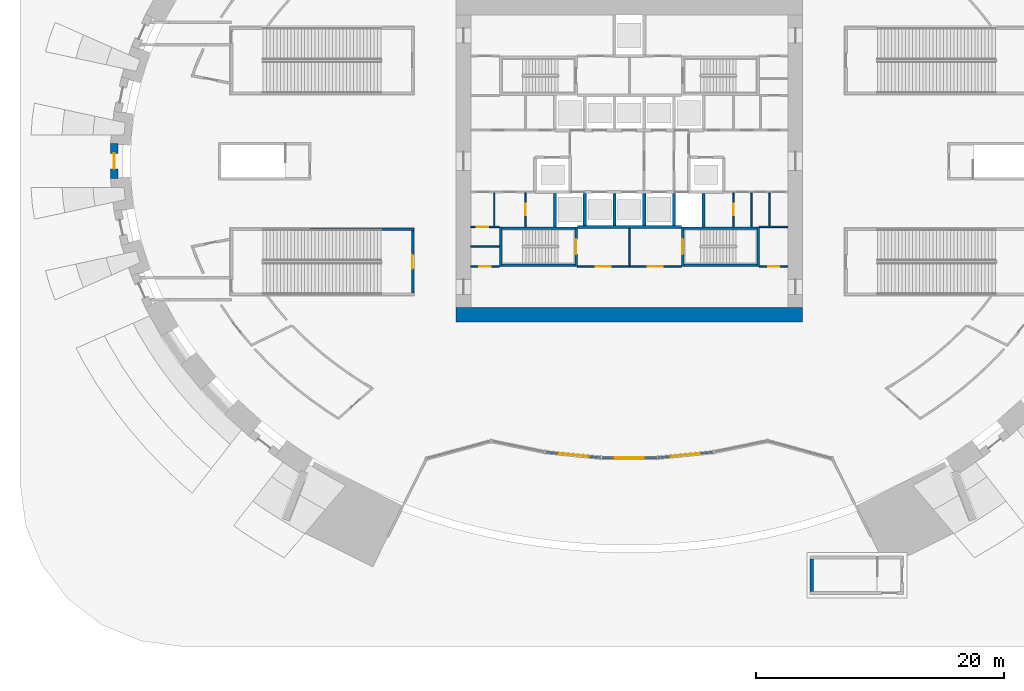
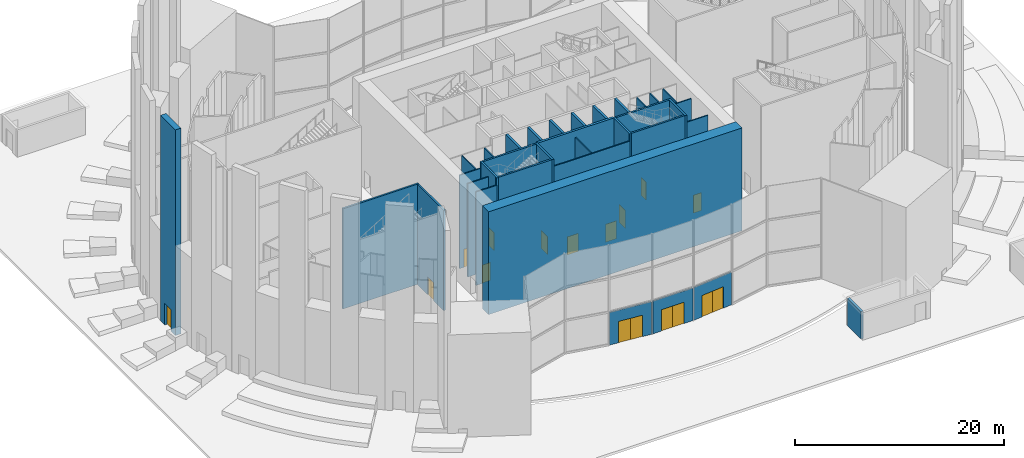
# One storey, part 8 of 25: 35 walls, 17 doors, 17 openings.
"""IFC4 building model written with IfcOpenShell, lengths in metres."""

from ifc_helpers import new_model, si_unit, direction, frame, frame_2d, origin, place, context, subcontext, project, spatial, rectangle, extrude, source, transform, mapped, material, layer, layer_set, type_object, element, fill, save


model = new_model("IFC4")

# Units and contexts
model_context = context("Model", 3, precision=1e-05, world=origin(), true_north=direction((0.0, 1.0)))
body_context = subcontext(model_context, "Body", "Model", "MODEL_VIEW")
ifc_project = project(units=[si_unit("LENGTHUNIT", "METRE"), si_unit("AREAUNIT", "SQUARE_METRE"), si_unit("VOLUMEUNIT", "CUBIC_METRE"), si_unit("PLANEANGLEUNIT", "RADIAN"), si_unit("MASSUNIT", "GRAM", prefix="KILO")], contexts=[model_context])

# Site, building, storey
site_placement = place(None, origin())
site = spatial("IfcSite", under=ifc_project, at=site_placement, CompositionType="ELEMENT")
building_placement = place(site_placement, origin())
building = spatial("IfcBuilding", under=site, at=building_placement, Name="Embergate Tower", CompositionType="ELEMENT")
storey_placement = place(building_placement, origin())
storey = spatial("IfcBuildingStorey", under=building, at=storey_placement, Name="L00", CompositionType="ELEMENT", Elevation=0.0)

# Wall
ifc_material_1 = material(Name="Concrete C80", Category="concrete")
ifc_layer_1 = layer(ifc_material_1, 1.199951171875)
ifc_layer_set_1 = layer_set([ifc_layer_1], Name="Concrete C80")
wall_type_1 = type_object("IfcWallType", Name="Core outer wall C80 1200", PredefinedType="SHEAR", material=ifc_layer_set_1)
shared_shape_1 = source(origin(), body_context, "Body", "SweptSolid", [
    extrude(rectangle(XDim=28.0, YDim=1.199951171875, at=frame_2d((14.0, 0.0))), origin(), (0.0, 0.0, 1.0), 12.0),
])
wall_1_placement = place(storey_placement, frame((-14.0, -12.39990234375, -0.300048828125), z_axis=(0.0, 0.0, 1.0), x_axis=(1.0, 0.0, 0.0)))
element("IfcWall", 1, at=wall_1_placement, inside=storey, type_object=wall_type_1, Name="CW-L00-S", PredefinedType="SHEAR", context=body_context, shape_type="MappedRepresentation", body=[
    mapped(shared_shape_1, transform((0.0, 0.0, 0.0))),
])

# Wall, opening, door
ifc_material_2 = material(Name="Brick masonry, solid, with terracotta coping", Category="masonry")
ifc_layer_2 = layer(ifc_material_2, 0.60009765625)
ifc_layer_set_2 = layer_set([ifc_layer_2], Name="Brick masonry, solid, with terracotta coping")
wall_type_2 = type_object("IfcWallType", Name="Masonry base wall", PredefinedType="SOLIDWALL", material=ifc_layer_set_2)
shared_shape_2 = source(origin(), body_context, "Body", "SweptSolid", [
    extrude(rectangle(XDim=2.8349609375, YDim=0.60009765625, at=frame_2d((1.41748046875, 0.0))), origin(), (0.0, 0.0, 1.0), 24.0),
])
wall_2_placement = place(storey_placement, frame((-41.594482421875, -1.41748046875, 0.0), z_axis=(0.0, 0.0, 1.0), x_axis=(0.0, 1.0, 0.0)))
wall_2 = element("IfcWall", 2, at=wall_2_placement, inside=storey, type_object=wall_type_2, Name="Masonry base wall 22", PredefinedType="SOLIDWALL", context=body_context, shape_type="MappedRepresentation", body=[
    mapped(shared_shape_2, transform((0.0, 0.0, 0.0))),
])
shared_shape_3 = source(origin(), body_context, "Body", "SweptSolid", [
    extrude(rectangle(XDim=1.25, YDim=2.5, at=frame_2d((0.625, 1.25))), frame((0.0, 0.31005859375, 0.0), z_axis=(0.0, -1.0, 0.0), x_axis=(1.0, 0.0, 0.0)), (0.0, 0.0, 1.0), 0.6201171875),
])
opening_1_placement = place(wall_2_placement, frame((0.79248046875, 0.0, 0.0)))
opening_1 = element("IfcOpeningElement", 3, at=opening_1_placement, cuts=wall_2, Name="Opening ED", PredefinedType="OPENING", context=body_context, shape_type="MappedRepresentation", body=[
    mapped(shared_shape_3, transform((0.0, 0.0, 0.0))),
])
ifc_material_3 = material(Name="Aluminium and toughened glass", Category="aluminium")
door_type_1 = type_object("IfcDoorType", Name="Entrance door leaf", OperationType="SINGLE_SWING_LEFT", PredefinedType="DOOR", material=ifc_material_3)
shared_shape_4 = source(origin(), body_context, "Body", "SweptSolid", [
    extrude(rectangle(XDim=1.25, YDim=2.5, at=frame_2d((0.625, 1.25))), frame((0.0, 0.02490234375, 0.0), z_axis=(0.0, -1.0, 0.0), x_axis=(1.0, 0.0, 0.0)), (0.0, 0.0, 1.0), 0.050048828125),
])
door_1_placement = place(opening_1_placement, origin())
door_1 = element("IfcDoor", 4, at=door_1_placement, inside=storey, type_object=door_type_1, Name="Entrance door 22.1", OperationType="SINGLE_SWING_LEFT", OverallHeight=2.5, OverallWidth=1.25, PredefinedType="DOOR", context=body_context, shape_type="MappedRepresentation", body=[
    mapped(shared_shape_4, transform((0.0, 0.0, 0.0))),
])
fill(opening_1, door_1)

# Wall, openings, doors
ifc_layer_3 = layer(ifc_material_3, 0.139892578125)
ifc_layer_set_3 = layer_set([ifc_layer_3], Name="Aluminium and toughened glass")
wall_type_3 = type_object("IfcWallType", Name="Glazed entrance screen", PredefinedType="SOLIDWALL", material=ifc_layer_set_3)
shared_shape_5 = source(origin(), body_context, "Body", "SweptSolid", [
    extrude(rectangle(XDim=4.390869140625, YDim=0.139892578125, at=frame_2d((2.1953125, 0.0))), origin(), (0.0, 0.0, 1.0), 3.81005859375),
])
wall_3_placement = place(storey_placement, frame((-2.3466796875, -23.935791015625, 0.0), z_axis=(0.0, 0.0, 1.0), x_axis=(-0.994939828097, 0.100472575689, 0.0)))
wall_3 = element("IfcWall", 5, at=wall_3_placement, inside=storey, type_object=wall_type_3, Name="Entrance screen 153", PredefinedType="SOLIDWALL", context=body_context, shape_type="MappedRepresentation", body=[
    mapped(shared_shape_5, transform((0.0, 0.0, 0.0))),
])
shared_shape_6 = source(origin(), body_context, "Body", "SweptSolid", [
    extrude(rectangle(XDim=1.25, YDim=2.5, at=frame_2d((0.625, 1.25))), frame((0.0, 0.079833984375, 0.0), z_axis=(0.0, -1.0, 0.0), x_axis=(1.0, 0.0, 0.0)), (0.0, 0.0, 1.0), 0.159912109375),
])
opening_2_placement = place(wall_3_placement, frame((0.9453125, 0.0, 0.0)))
opening_2 = element("IfcOpeningElement", 6, at=opening_2_placement, cuts=wall_3, Name="Opening ED", PredefinedType="OPENING", context=body_context, shape_type="MappedRepresentation", body=[
    mapped(shared_shape_6, transform((0.0, 0.0, 0.0))),
])
opening_3_placement = place(wall_3_placement, frame((2.1953125, 0.0, 0.0)))
opening_3 = element("IfcOpeningElement", 7, at=opening_3_placement, cuts=wall_3, Name="Opening ED", PredefinedType="OPENING", context=body_context, shape_type="MappedRepresentation", body=[
    mapped(shared_shape_6, transform((0.0, 0.0, 0.0))),
])
door_2_placement = place(opening_2_placement, origin())
door_2 = element("IfcDoor", 8, at=door_2_placement, inside=storey, type_object=door_type_1, Name="Entrance door 153.1", OperationType="SINGLE_SWING_LEFT", OverallHeight=2.5, OverallWidth=1.25, PredefinedType="DOOR", context=body_context, shape_type="MappedRepresentation", body=[
    mapped(shared_shape_4, transform((0.0, 0.0, 0.0))),
])
fill(opening_2, door_2)
door_3_placement = place(opening_3_placement, origin())
door_3 = element("IfcDoor", 9, at=door_3_placement, inside=storey, type_object=door_type_1, Name="Entrance door 153.2", OperationType="SINGLE_SWING_LEFT", OverallHeight=2.5, OverallWidth=1.25, PredefinedType="DOOR", context=body_context, shape_type="MappedRepresentation", body=[
    mapped(shared_shape_4, transform((0.0, 0.0, 0.0))),
])
fill(opening_3, door_3)

wall_4_placement = place(storey_placement, frame((6.71533203125, -23.49462890625, 0.0), z_axis=(0.0, 0.0, 1.0), x_axis=(-0.994939828097, -0.100472575689, 0.0)))
wall_4 = element("IfcWall", 10, at=wall_4_placement, inside=storey, type_object=wall_type_3, Name="Entrance screen 155", PredefinedType="SOLIDWALL", context=body_context, shape_type="MappedRepresentation", body=[
    mapped(shared_shape_5, transform((0.0, 0.0, 0.0))),
])
opening_4_placement = place(wall_4_placement, frame((0.9453125, 0.0, 0.0)))
opening_4 = element("IfcOpeningElement", 11, at=opening_4_placement, cuts=wall_4, Name="Opening ED", PredefinedType="OPENING", context=body_context, shape_type="MappedRepresentation", body=[
    mapped(shared_shape_6, transform((0.0, 0.0, 0.0))),
])
opening_5_placement = place(wall_4_placement, frame((2.1953125, 0.0, 0.0)))
opening_5 = element("IfcOpeningElement", 12, at=opening_5_placement, cuts=wall_4, Name="Opening ED", PredefinedType="OPENING", context=body_context, shape_type="MappedRepresentation", body=[
    mapped(shared_shape_6, transform((0.0, 0.0, 0.0))),
])
door_4_placement = place(opening_4_placement, origin())
door_4 = element("IfcDoor", 13, at=door_4_placement, inside=storey, type_object=door_type_1, Name="Entrance door 155.1", OperationType="SINGLE_SWING_LEFT", OverallHeight=2.5, OverallWidth=1.25, PredefinedType="DOOR", context=body_context, shape_type="MappedRepresentation", body=[
    mapped(shared_shape_4, transform((0.0, 0.0, 0.0))),
])
fill(opening_4, door_4)
door_5_placement = place(opening_5_placement, origin())
door_5 = element("IfcDoor", 14, at=door_5_placement, inside=storey, type_object=door_type_1, Name="Entrance door 155.2", OperationType="SINGLE_SWING_LEFT", OverallHeight=2.5, OverallWidth=1.25, PredefinedType="DOOR", context=body_context, shape_type="MappedRepresentation", body=[
    mapped(shared_shape_4, transform((0.0, 0.0, 0.0))),
])
fill(opening_5, door_5)

shared_shape_7 = source(origin(), body_context, "Body", "SweptSolid", [
    extrude(rectangle(XDim=4.4140625, YDim=0.139892578125, at=frame_2d((2.20703125, 0.0))), origin(), (0.0, 0.0, 1.0), 3.81005859375),
])
wall_5_placement = place(storey_placement, frame((2.20703125, -23.94287109375, 0.0), z_axis=(0.0, 0.0, 1.0), x_axis=(-1.0, 0.0, 0.0)))
wall_5 = element("IfcWall", 15, at=wall_5_placement, inside=storey, type_object=wall_type_3, Name="Entrance screen 154", PredefinedType="SOLIDWALL", context=body_context, shape_type="MappedRepresentation", body=[
    mapped(shared_shape_7, transform((0.0, 0.0, 0.0))),
])
opening_6_placement = place(wall_5_placement, frame((0.95703125, 0.0, 0.0)))
opening_6 = element("IfcOpeningElement", 16, at=opening_6_placement, cuts=wall_5, Name="Opening ED", PredefinedType="OPENING", context=body_context, shape_type="MappedRepresentation", body=[
    mapped(shared_shape_6, transform((0.0, 0.0, 0.0))),
])
opening_7_placement = place(wall_5_placement, frame((2.20703125, 0.0, 0.0)))
opening_7 = element("IfcOpeningElement", 17, at=opening_7_placement, cuts=wall_5, Name="Opening ED", PredefinedType="OPENING", context=body_context, shape_type="MappedRepresentation", body=[
    mapped(shared_shape_6, transform((0.0, 0.0, 0.0))),
])
door_6_placement = place(opening_6_placement, origin())
door_6 = element("IfcDoor", 18, at=door_6_placement, inside=storey, type_object=door_type_1, Name="Entrance door 154.1", OperationType="SINGLE_SWING_LEFT", OverallHeight=2.5, OverallWidth=1.25, PredefinedType="DOOR", context=body_context, shape_type="MappedRepresentation", body=[
    mapped(shared_shape_4, transform((0.0, 0.0, 0.0))),
])
fill(opening_6, door_6)
door_7_placement = place(opening_7_placement, origin())
door_7 = element("IfcDoor", 19, at=door_7_placement, inside=storey, type_object=door_type_1, Name="Entrance door 154.2", OperationType="SINGLE_SWING_LEFT", OverallHeight=2.5, OverallWidth=1.25, PredefinedType="DOOR", context=body_context, shape_type="MappedRepresentation", body=[
    mapped(shared_shape_4, transform((0.0, 0.0, 0.0))),
])
fill(opening_7, door_7)

# Walls
ifc_material_4 = material(Name="Concrete C50", Category="concrete")
ifc_layer_4 = layer(ifc_material_4, 0.25)
ifc_layer_set_4 = layer_set([ifc_layer_4], Name="Concrete C50")
wall_type_4 = type_object("IfcWallType", Name="Hoistway wall reinforced concrete 250", PredefinedType="SHEAR", material=ifc_layer_set_4)
shared_shape_8 = source(origin(), body_context, "Body", "SweptSolid", [
    extrude(rectangle(XDim=2.675048828125, YDim=0.25, at=frame_2d((1.33740234375, 0.0))), origin(), (0.0, 0.0, 1.0), 11.699951171875),
])
for number, where, z_axis, x_axis, name in (
    (20, (-6.0, -5.300048828125, 0.0), (0.0, 0.0, 1.0), (0.0, 1.0, 0.0), "HW-1 wall"),
    (21, (6.0, -5.300048828125, 0.0), (0.0, 0.0, 1.0), (0.0, 1.0, 0.0), "HW-1 wall"),
):
    element("IfcWall", number, at=place(storey_placement, frame(where, z_axis=z_axis, x_axis=x_axis)), inside=storey, type_object=wall_type_4, Name=name, PredefinedType="SHEAR", context=body_context, shape_type="MappedRepresentation", body=[
        mapped(shared_shape_8, transform((0.0, 0.0, 0.0))),
    ])
ifc_layer_5 = layer(ifc_material_4, 0.199951171875)
ifc_layer_set_5 = layer_set([ifc_layer_5], Name="Concrete C50")
wall_type_5 = type_object("IfcWallType", Name="Stair enclosure wall reinforced concrete 250", PredefinedType="SHEAR", material=ifc_layer_set_5)
shared_shape_9 = source(origin(), body_context, "Body", "SweptSolid", [
    extrude(rectangle(XDim=6.300048828125, YDim=0.199951171875, at=frame_2d((3.14990234375, 0.0))), origin(), (0.0, 0.0, 1.0), 11.699951171875),
])
for number, where, z_axis, x_axis, name in (
    (22, (-10.5, -5.39990234375, 0.0), (0.0, 0.0, 1.0), (1.0, 0.0, 0.0), "SE-1 wall"),
    (23, (4.199951171875, -5.39990234375, 0.0), (0.0, 0.0, 1.0), (1.0, 0.0, 0.0), "SE-1 wall"),
    (24, (-10.5, -8.39990234375, 0.0), (0.0, 0.0, 1.0), (1.0, 0.0, 0.0), "SE-1 wall"),
    (25, (4.199951171875, -8.39990234375, 0.0), (0.0, 0.0, 1.0), (1.0, 0.0, 0.0), "SE-1 wall"),
):
    element("IfcWall", number, at=place(storey_placement, frame(where, z_axis=z_axis, x_axis=x_axis)), inside=storey, type_object=wall_type_5, Name=name, PredefinedType="SHEAR", context=body_context, shape_type="MappedRepresentation", body=[
        mapped(shared_shape_9, transform((0.0, 0.0, 0.0))),
    ])

# Wall, opening, door
ifc_material_5 = material(Name="Core partition blockwork 120")
ifc_layer_6 = layer(ifc_material_5, 0.1201171875)
ifc_layer_set_6 = layer_set([ifc_layer_6], Name="Core partition blockwork 120")
wall_type_6 = type_object("IfcWallType", Name="Core partition blockwork 120", PredefinedType="PARTITIONING", material=ifc_layer_set_6)
shared_shape_10 = source(origin(), body_context, "Body", "SweptSolid", [
    extrude(rectangle(XDim=2.739990234375, YDim=0.1201171875, at=frame_2d((1.3701171875, 0.0))), origin(), (0.0, 0.0, 1.0), 10.89990234375),
])
wall_6_placement = place(storey_placement, frame((-8.39990234375, -2.56005859375, 0.0), z_axis=(0.0, 0.0, 1.0), x_axis=(0.0, -1.0, 0.0)))
wall_6 = element("IfcWall", 26, at=wall_6_placement, inside=storey, type_object=wall_type_6, Name="IP-3 wall", PredefinedType="PARTITIONING", context=body_context, shape_type="MappedRepresentation", body=[
    mapped(shared_shape_10, transform((0.0, 0.0, 0.0))),
])
shared_shape_11 = source(origin(), body_context, "Body", "SweptSolid", [
    extrude(rectangle(XDim=0.89990234375, YDim=2.10009765625, at=frame_2d((0.449951171875, 1.050048828125))), frame((0.0, 0.070068359375, 0.0), z_axis=(0.0, -1.0, 0.0), x_axis=(1.0, 0.0, 0.0)), (0.0, 0.0, 1.0), 0.14013671875),
])
opening_8_placement = place(wall_6_placement, frame((0.889892578125, 0.0, 0.0)))
opening_8 = element("IfcOpeningElement", 27, at=opening_8_placement, cuts=wall_6, Name="Opening ID-1", PredefinedType="OPENING", context=body_context, shape_type="MappedRepresentation", body=[
    mapped(shared_shape_11, transform((0.0, 0.0, 0.0))),
])
ifc_material_6 = material(Name="Interior door 900")
door_type_2 = type_object("IfcDoorType", Name="Interior door 900", OperationType="SINGLE_SWING_LEFT", PredefinedType="DOOR", material=ifc_material_6)
shared_shape_12 = source(origin(), body_context, "Body", "SweptSolid", [
    extrude(rectangle(XDim=0.89990234375, YDim=2.10009765625, at=frame_2d((0.449951171875, 1.050048828125))), frame((0.0, 0.02490234375, 0.0), z_axis=(0.0, -1.0, 0.0), x_axis=(1.0, 0.0, 0.0)), (0.0, 0.0, 1.0), 0.050048828125),
])
door_8_placement = place(opening_8_placement, origin())
door_8 = element("IfcDoor", 28, at=door_8_placement, inside=storey, type_object=door_type_2, Name="ID-1 door", OperationType="SINGLE_SWING_LEFT", OverallHeight=2.10009765625, OverallWidth=0.89990234375, PredefinedType="DOOR", context=body_context, shape_type="MappedRepresentation", body=[
    mapped(shared_shape_12, transform((0.0, 0.0, 0.0))),
])
fill(opening_8, door_8)

wall_7_placement = place(storey_placement, frame((8.39990234375, -5.300048828125, 0.0), z_axis=(0.0, 0.0, 1.0), x_axis=(0.0, 1.0, 0.0)))
wall_7 = element("IfcWall", 29, at=wall_7_placement, inside=storey, type_object=wall_type_6, Name="IP-3 wall", PredefinedType="PARTITIONING", context=body_context, shape_type="MappedRepresentation", body=[
    mapped(shared_shape_10, transform((0.0, 0.0, 0.0))),
])
opening_9_placement = place(wall_7_placement, frame((0.949951171875, 0.0, 0.0)))
opening_9 = element("IfcOpeningElement", 30, at=opening_9_placement, cuts=wall_7, Name="Opening ID-1", PredefinedType="OPENING", context=body_context, shape_type="MappedRepresentation", body=[
    mapped(shared_shape_11, transform((0.0, 0.0, 0.0))),
])
door_9_placement = place(opening_9_placement, origin())
door_9 = element("IfcDoor", 31, at=door_9_placement, inside=storey, type_object=door_type_2, Name="ID-1 door", OperationType="SINGLE_SWING_LEFT", OverallHeight=2.10009765625, OverallWidth=0.89990234375, PredefinedType="DOOR", context=body_context, shape_type="MappedRepresentation", body=[
    mapped(shared_shape_12, transform((0.0, 0.0, 0.0))),
])
fill(opening_9, door_9)

# Walls
wall_8_placement = place(storey_placement, frame((9.85205078125, -5.300048828125, 0.0), z_axis=(0.0, 0.0, 1.0), x_axis=(0.0, 1.0, 0.0)))
element("IfcWall", 32, at=wall_8_placement, inside=storey, type_object=wall_type_6, Name="IP-3 wall", PredefinedType="PARTITIONING", context=body_context, shape_type="MappedRepresentation", body=[
    mapped(shared_shape_10, transform((0.0, 0.0, 0.0))),
])
shared_shape_13 = source(origin(), body_context, "Body", "SweptSolid", [
    extrude(rectangle(XDim=2.550048828125, YDim=0.25, at=frame_2d((1.27490234375, 0.0))), origin(), (0.0, 0.0, 1.0), 11.699951171875),
])
for number, where, z_axis, x_axis, name in (
    (33, (-3.60009765625, -5.175048828125, 0.0), (0.0, 0.0, 1.0), (0.0, 1.0, 0.0), "HW-1 wall"),
    (34, (-1.199951171875, -5.175048828125, 0.0), (0.0, 0.0, 1.0), (0.0, 1.0, 0.0), "HW-1 wall"),
    (35, (1.199951171875, -5.175048828125, 0.0), (0.0, 0.0, 1.0), (0.0, 1.0, 0.0), "HW-1 wall"),
    (36, (3.60009765625, -5.175048828125, 0.0), (0.0, 0.0, 1.0), (0.0, 1.0, 0.0), "HW-1 wall"),
):
    element("IfcWall", number, at=place(storey_placement, frame(where, z_axis=z_axis, x_axis=x_axis)), inside=storey, type_object=wall_type_4, Name=name, PredefinedType="SHEAR", context=body_context, shape_type="MappedRepresentation", body=[
        mapped(shared_shape_13, transform((0.0, 0.0, 0.0))),
    ])
shared_shape_14 = source(origin(), body_context, "Body", "SweptSolid", [
    extrude(rectangle(XDim=8.39990234375, YDim=0.25, at=frame_2d((4.199951171875, 0.0))), origin(), (0.0, 0.0, 1.0), 11.699951171875),
])
wall_9_placement = place(storey_placement, frame((-4.199951171875, -5.300048828125, 0.0), z_axis=(0.0, 0.0, 1.0), x_axis=(1.0, 0.0, 0.0)))
element("IfcWall", 37, at=wall_9_placement, inside=storey, type_object=wall_type_4, Name="HW-1 wall", PredefinedType="SHEAR", context=body_context, shape_type="MappedRepresentation", body=[
    mapped(shared_shape_14, transform((0.0, 0.0, 0.0))),
])

# Wall, opening, door
shared_shape_15 = source(origin(), body_context, "Body", "SweptSolid", [
    extrude(rectangle(XDim=3.199951171875, YDim=0.199951171875, at=frame_2d((1.60009765625, 0.0))), origin(), (0.0, 0.0, 1.0), 11.699951171875),
])
wall_10_placement = place(storey_placement, frame((-4.300048828125, -8.5, 0.0), z_axis=(0.0, 0.0, 1.0), x_axis=(0.0, 1.0, 0.0)))
wall_10 = element("IfcWall", 38, at=wall_10_placement, inside=storey, type_object=wall_type_5, Name="SE-1 wall", PredefinedType="SHEAR", context=body_context, shape_type="MappedRepresentation", body=[
    mapped(shared_shape_15, transform((0.0, 0.0, 0.0))),
])
shared_shape_16 = source(origin(), body_context, "Body", "SweptSolid", [
    extrude(rectangle(XDim=1.199951171875, YDim=2.10009765625, at=frame_2d((0.60009765625, 1.050048828125))), frame((0.0, 0.10986328125, 0.0), z_axis=(0.0, -1.0, 0.0), x_axis=(1.0, 0.0, 0.0)), (0.0, 0.0, 1.0), 0.219970703125),
])
opening_10_placement = place(wall_10_placement, frame((1.0, 0.0, 0.0)))
opening_10 = element("IfcOpeningElement", 39, at=opening_10_placement, cuts=wall_10, Name="Opening IF-2", PredefinedType="OPENING", context=body_context, shape_type="MappedRepresentation", body=[
    mapped(shared_shape_16, transform((0.0, 0.0, 0.0))),
])
ifc_material_7 = material(Name="Stair enclosure door 1200")
door_type_3 = type_object("IfcDoorType", Name="Stair enclosure door 1200", OperationType="SINGLE_SWING_LEFT", PredefinedType="DOOR", material=ifc_material_7)
shared_shape_17 = source(origin(), body_context, "Body", "SweptSolid", [
    extrude(rectangle(XDim=1.199951171875, YDim=2.10009765625, at=frame_2d((0.60009765625, 1.050048828125))), frame((0.0, 0.02490234375, 0.0), z_axis=(0.0, -1.0, 0.0), x_axis=(1.0, 0.0, 0.0)), (0.0, 0.0, 1.0), 0.050048828125),
])
door_10_placement = place(opening_10_placement, origin())
door_10 = element("IfcDoor", 40, at=door_10_placement, inside=storey, type_object=door_type_3, Name="IF-2 door", OperationType="SINGLE_SWING_RIGHT", OverallHeight=2.10009765625, OverallWidth=1.199951171875, PredefinedType="DOOR", context=body_context, shape_type="MappedRepresentation", body=[
    mapped(shared_shape_17, transform((0.0, 0.0, 0.0))),
])
fill(opening_10, door_10)

# Wall
wall_11_placement = place(storey_placement, frame((-10.39990234375, -5.300048828125, 0.0), z_axis=(0.0, 0.0, 1.0), x_axis=(0.0, -1.0, 0.0)))
element("IfcWall", 41, at=wall_11_placement, inside=storey, type_object=wall_type_5, Name="SE-1 wall", PredefinedType="SHEAR", context=body_context, shape_type="MappedRepresentation", body=[
    mapped(shared_shape_15, transform((0.0, 0.0, 0.0))),
])

# Wall, opening, door
wall_12_placement = place(storey_placement, frame((4.300048828125, -5.300048828125, 0.0), z_axis=(0.0, 0.0, 1.0), x_axis=(0.0, -1.0, 0.0)))
wall_12 = element("IfcWall", 42, at=wall_12_placement, inside=storey, type_object=wall_type_5, Name="SE-1 wall", PredefinedType="SHEAR", context=body_context, shape_type="MappedRepresentation", body=[
    mapped(shared_shape_15, transform((0.0, 0.0, 0.0))),
])
opening_11_placement = place(wall_12_placement, frame((1.0, 0.0, 0.0)))
opening_11 = element("IfcOpeningElement", 43, at=opening_11_placement, cuts=wall_12, Name="Opening IF-2", PredefinedType="OPENING", context=body_context, shape_type="MappedRepresentation", body=[
    mapped(shared_shape_16, transform((0.0, 0.0, 0.0))),
])
door_11_placement = place(opening_11_placement, origin())
door_11 = element("IfcDoor", 44, at=door_11_placement, inside=storey, type_object=door_type_3, Name="IF-2 door", OperationType="SINGLE_SWING_LEFT", OverallHeight=2.10009765625, OverallWidth=1.199951171875, PredefinedType="DOOR", context=body_context, shape_type="MappedRepresentation", body=[
    mapped(shared_shape_17, transform((0.0, 0.0, 0.0))),
])
fill(opening_11, door_11)

# Walls
wall_13_placement = place(storey_placement, frame((10.39990234375, -8.5, 0.0), z_axis=(0.0, 0.0, 1.0), x_axis=(0.0, 1.0, 0.0)))
element("IfcWall", 45, at=wall_13_placement, inside=storey, type_object=wall_type_5, Name="SE-1 wall", PredefinedType="SHEAR", context=body_context, shape_type="MappedRepresentation", body=[
    mapped(shared_shape_15, transform((0.0, 0.0, 0.0))),
])
shared_shape_18 = source(origin(), body_context, "Body", "SweptSolid", [
    extrude(rectangle(XDim=3.014892578125, YDim=0.1201171875, at=frame_2d((1.50732421875, 0.0))), origin(), (0.0, 0.0, 1.0), 10.89990234375),
])
wall_14_placement = place(storey_placement, frame((0.0, -8.43994140625, 0.0), z_axis=(0.0, 0.0, 1.0), x_axis=(0.0, 1.0, 0.0)))
element("IfcWall", 46, at=wall_14_placement, inside=storey, type_object=wall_type_6, Name="IP-3 wall", PredefinedType="PARTITIONING", context=body_context, shape_type="MappedRepresentation", body=[
    mapped(shared_shape_18, transform((0.0, 0.0, 0.0))),
])

# Wall, openings, doors
shared_shape_19 = source(origin(), body_context, "Body", "SweptSolid", [
    extrude(rectangle(XDim=8.39990234375, YDim=0.1201171875, at=frame_2d((4.199951171875, 0.0))), origin(), (0.0, 0.0, 1.0), 10.89990234375),
])
wall_15_placement = place(storey_placement, frame((-4.199951171875, -8.5, 0.0), z_axis=(0.0, 0.0, 1.0), x_axis=(1.0, 0.0, 0.0)))
wall_15 = element("IfcWall", 47, at=wall_15_placement, inside=storey, type_object=wall_type_6, Name="IP-3 wall", PredefinedType="PARTITIONING", context=body_context, shape_type="MappedRepresentation", body=[
    mapped(shared_shape_19, transform((0.0, 0.0, 0.0))),
])
shared_shape_20 = source(origin(), body_context, "Body", "SweptSolid", [
    extrude(rectangle(XDim=1.199951171875, YDim=2.10009765625, at=frame_2d((0.60009765625, 1.050048828125))), frame((0.0, 0.070068359375, 0.0), z_axis=(0.0, -1.0, 0.0), x_axis=(1.0, 0.0, 0.0)), (0.0, 0.0, 1.0), 0.14013671875),
])
opening_12_placement = place(wall_15_placement, frame((1.5, 0.0, 0.0)))
opening_12 = element("IfcOpeningElement", 48, at=opening_12_placement, cuts=wall_15, Name="Opening IF-3f", PredefinedType="OPENING", context=body_context, shape_type="MappedRepresentation", body=[
    mapped(shared_shape_20, transform((0.0, 0.0, 0.0))),
])
opening_13_placement = place(wall_15_placement, frame((5.699951171875, 0.0, 0.0)))
opening_13 = element("IfcOpeningElement", 49, at=opening_13_placement, cuts=wall_15, Name="Opening IF-3f", PredefinedType="OPENING", context=body_context, shape_type="MappedRepresentation", body=[
    mapped(shared_shape_20, transform((0.0, 0.0, 0.0))),
])
ifc_material_8 = material(Name="Lobby fire door pair 1200")
door_type_4 = type_object("IfcDoorType", Name="Lobby fire door pair 1200", OperationType="DOUBLE_DOOR_SINGLE_SWING", PredefinedType="DOOR", material=ifc_material_8)
door_12_placement = place(opening_12_placement, origin())
door_12 = element("IfcDoor", 50, at=door_12_placement, inside=storey, type_object=door_type_4, Name="IF-3 door", OperationType="DOUBLE_DOOR_SINGLE_SWING", OverallHeight=2.10009765625, OverallWidth=1.199951171875, PredefinedType="DOOR", context=body_context, shape_type="MappedRepresentation", body=[
    mapped(shared_shape_17, transform((0.0, 0.0, 0.0))),
])
fill(opening_12, door_12)
door_13_placement = place(opening_13_placement, origin())
door_13 = element("IfcDoor", 51, at=door_13_placement, inside=storey, type_object=door_type_4, Name="IF-3 door", OperationType="DOUBLE_DOOR_SINGLE_SWING", OverallHeight=2.10009765625, OverallWidth=1.199951171875, PredefinedType="DOOR", context=body_context, shape_type="MappedRepresentation", body=[
    mapped(shared_shape_17, transform((0.0, 0.0, 0.0))),
])
fill(opening_13, door_13)

# Wall, opening, door
shared_shape_21 = source(origin(), body_context, "Body", "SweptSolid", [
    extrude(rectangle(XDim=2.300048828125, YDim=0.1201171875, at=frame_2d((1.14990234375, 0.0))), origin(), (0.0, 0.0, 1.0), 10.89990234375),
])
wall_16_placement = place(storey_placement, frame((-10.5, -8.5, 0.0), z_axis=(0.0, 0.0, 1.0), x_axis=(-1.0, 0.0, 0.0)))
wall_16 = element("IfcWall", 52, at=wall_16_placement, inside=storey, type_object=wall_type_6, Name="IP-3 wall", PredefinedType="PARTITIONING", context=body_context, shape_type="MappedRepresentation", body=[
    mapped(shared_shape_21, transform((0.0, 0.0, 0.0))),
])
opening_14_placement = place(wall_16_placement, frame((0.699951171875, 0.0, 0.0)))
opening_14 = element("IfcOpeningElement", 53, at=opening_14_placement, cuts=wall_16, Name="Opening ID-1", PredefinedType="OPENING", context=body_context, shape_type="MappedRepresentation", body=[
    mapped(shared_shape_11, transform((0.0, 0.0, 0.0))),
])
door_14_placement = place(opening_14_placement, origin())
door_14 = element("IfcDoor", 54, at=door_14_placement, inside=storey, type_object=door_type_2, Name="ID-1 door", OperationType="SINGLE_SWING_RIGHT", OverallHeight=2.10009765625, OverallWidth=0.89990234375, PredefinedType="DOOR", context=body_context, shape_type="MappedRepresentation", body=[
    mapped(shared_shape_12, transform((0.0, 0.0, 0.0))),
])
fill(opening_14, door_14)

wall_17_placement = place(storey_placement, frame((12.800048828125, -8.5, 0.0), z_axis=(0.0, 0.0, 1.0), x_axis=(-1.0, 0.0, 0.0)))
wall_17 = element("IfcWall", 55, at=wall_17_placement, inside=storey, type_object=wall_type_6, Name="IP-3 wall", PredefinedType="PARTITIONING", context=body_context, shape_type="MappedRepresentation", body=[
    mapped(shared_shape_21, transform((0.0, 0.0, 0.0))),
])
opening_15_placement = place(wall_17_placement, frame((0.699951171875, 0.0, 0.0)))
opening_15 = element("IfcOpeningElement", 56, at=opening_15_placement, cuts=wall_17, Name="Opening ID-1", PredefinedType="OPENING", context=body_context, shape_type="MappedRepresentation", body=[
    mapped(shared_shape_11, transform((0.0, 0.0, 0.0))),
])
door_15_placement = place(opening_15_placement, origin())
door_15 = element("IfcDoor", 57, at=door_15_placement, inside=storey, type_object=door_type_2, Name="ID-1 door", OperationType="SINGLE_SWING_RIGHT", OverallHeight=2.10009765625, OverallWidth=0.89990234375, PredefinedType="DOOR", context=body_context, shape_type="MappedRepresentation", body=[
    mapped(shared_shape_12, transform((0.0, 0.0, 0.0))),
])
fill(opening_15, door_15)

wall_18_placement = place(storey_placement, frame((-12.800048828125, -5.300048828125, 0.0), z_axis=(0.0, 0.0, 1.0), x_axis=(1.0, 0.0, 0.0)))
wall_18 = element("IfcWall", 58, at=wall_18_placement, inside=storey, type_object=wall_type_6, Name="IP-3 wall", PredefinedType="PARTITIONING", context=body_context, shape_type="MappedRepresentation", body=[
    mapped(shared_shape_21, transform((0.0, 0.0, 0.0))),
])
opening_16_placement = place(wall_18_placement, frame((0.49609375, 0.0, 0.0)))
opening_16 = element("IfcOpeningElement", 59, at=opening_16_placement, cuts=wall_18, Name="Opening ID-1", PredefinedType="OPENING", context=body_context, shape_type="MappedRepresentation", body=[
    mapped(shared_shape_11, transform((0.0, 0.0, 0.0))),
])
door_16_placement = place(opening_16_placement, origin())
door_16 = element("IfcDoor", 60, at=door_16_placement, inside=storey, type_object=door_type_2, Name="ID-1 door", OperationType="SINGLE_SWING_LEFT", OverallHeight=2.10009765625, OverallWidth=0.89990234375, PredefinedType="DOOR", context=body_context, shape_type="MappedRepresentation", body=[
    mapped(shared_shape_12, transform((0.0, 0.0, 0.0))),
])
fill(opening_16, door_16)

# Walls
for number, where, z_axis, x_axis, name in (
    (61, (10.5, -5.300048828125, 0.0), (0.0, 0.0, 1.0), (1.0, 0.0, 0.0), "IP-3 wall"),
    (62, (-10.5, -6.89990234375, 0.0), (0.0, 0.0, 1.0), (-1.0, 0.0, 0.0), "IP-3 wall"),
):
    element("IfcWall", number, at=place(storey_placement, frame(where, z_axis=z_axis, x_axis=x_axis)), inside=storey, type_object=wall_type_6, Name=name, PredefinedType="PARTITIONING", context=body_context, shape_type="MappedRepresentation", body=[
        mapped(shared_shape_21, transform((0.0, 0.0, 0.0))),
    ])
shared_shape_22 = source(origin(), body_context, "Body", "SweptSolid", [
    extrude(rectangle(XDim=2.679931640625, YDim=0.1201171875, at=frame_2d((1.33984375, 0.0))), origin(), (0.0, 0.0, 1.0), 10.89990234375),
])
for number, where, z_axis, x_axis, name in (
    (63, (-10.907958984375, -5.239990234375, 0.0), (0.0, 0.0, 1.0), (0.0, 1.0, 0.0), "IP-3 wall"),
    (64, (11.303955078125, -5.239990234375, 0.0), (0.0, 0.0, 1.0), (0.0, 1.0, 0.0), "IP-3 wall"),
):
    element("IfcWall", number, at=place(storey_placement, frame(where, z_axis=z_axis, x_axis=x_axis)), inside=storey, type_object=wall_type_6, Name=name, PredefinedType="PARTITIONING", context=body_context, shape_type="MappedRepresentation", body=[
        mapped(shared_shape_22, transform((0.0, 0.0, 0.0))),
    ])
ifc_material_9 = material(Name="Concrete C40", Category="concrete")
ifc_layer_7 = layer(ifc_material_9, 0.199951171875)
ifc_layer_set_7 = layer_set([ifc_layer_7], Name="Concrete C40")
wall_type_7 = type_object("IfcWallType", Name="Stair enclosure wall RC 200", PredefinedType="STANDARD", material=ifc_layer_set_7)
shared_shape_23 = source(origin(), body_context, "Body", "SweptSolid", [
    extrude(rectangle(XDim=8.400146484375, YDim=0.199951171875, at=frame_2d((4.2001953125, 0.0))), origin(), (0.0, 0.0, 1.0), 11.699951171875),
])
wall_19_placement = place(storey_placement, frame((-25.800048828125, -5.5, 0.0), z_axis=(0.0, 0.0, 1.0), x_axis=(1.0, 0.0, 0.0)))
element("IfcWall", 65, at=wall_19_placement, inside=storey, type_object=wall_type_7, Name="Stair wall 055", PredefinedType="STANDARD", context=body_context, shape_type="MappedRepresentation", body=[
    mapped(shared_shape_23, transform((0.0, 0.0, 0.0))),
])

# Wall, opening, door
shared_shape_24 = source(origin(), body_context, "Body", "SweptSolid", [
    extrude(rectangle(XDim=5.0498046875, YDim=0.199951171875, at=frame_2d((2.52490234375, 0.0))), origin(), (0.0, 0.0, 1.0), 11.699951171875),
])
wall_20_placement = place(storey_placement, frame((-17.5, -5.60009765625, 0.0), z_axis=(0.0, 0.0, 1.0), x_axis=(0.0, -1.0, 0.0)))
wall_20 = element("IfcWall", 66, at=wall_20_placement, inside=storey, type_object=wall_type_7, Name="Stair wall 078", PredefinedType="STANDARD", context=body_context, shape_type="MappedRepresentation", body=[
    mapped(shared_shape_24, transform((0.0, 0.0, 0.0))),
])
shared_shape_25 = source(origin(), body_context, "Body", "SweptSolid", [
    extrude(rectangle(XDim=1.10009765625, YDim=2.10009765625, at=frame_2d((0.550048828125, 1.050048828125))), frame((0.0, 0.10986328125, 0.0), z_axis=(0.0, -1.0, 0.0), x_axis=(1.0, 0.0, 0.0)), (0.0, 0.0, 1.0), 0.219970703125),
])
opening_17_placement = place(wall_20_placement, frame((1.97509765625, 0.0, 0.0)))
opening_17 = element("IfcOpeningElement", 67, at=opening_17_placement, cuts=wall_20, Name="Opening DS-018", PredefinedType="OPENING", context=body_context, shape_type="MappedRepresentation", body=[
    mapped(shared_shape_25, transform((0.0, 0.0, 0.0))),
])
ifc_material_10 = material(Name="Steel fire door leaf", Category="steel")
door_type_5 = type_object("IfcDoorType", Name="Fire door class B 1100x2100", OperationType="SINGLE_SWING_LEFT", PredefinedType="DOOR", material=ifc_material_10)
shared_shape_26 = source(origin(), body_context, "Body", "SweptSolid", [
    extrude(rectangle(XDim=1.10009765625, YDim=2.10009765625, at=frame_2d((0.550048828125, 1.050048828125))), frame((0.0, 0.02490234375, 0.0), z_axis=(0.0, -1.0, 0.0), x_axis=(1.0, 0.0, 0.0)), (0.0, 0.0, 1.0), 0.050048828125),
])
door_17_placement = place(opening_17_placement, origin())
door_17 = element("IfcDoor", 68, at=door_17_placement, inside=storey, type_object=door_type_5, Name="Door to Exit stair enclosure", OperationType="SINGLE_SWING_LEFT", OverallHeight=2.10009765625, OverallWidth=1.10009765625, PredefinedType="DOOR", context=body_context, shape_type="MappedRepresentation", body=[
    mapped(shared_shape_26, transform((0.0, 0.0, 0.0))),
])
fill(opening_17, door_17)

# Wall
ifc_layer_8 = layer(ifc_material_9, 0.25)
ifc_layer_set_8 = layer_set([ifc_layer_8], Name="Concrete C40")
wall_type_8 = type_object("IfcWallType", Name="Stair head house wall C40 250", PredefinedType="SOLIDWALL", material=ifc_layer_set_8)
shared_shape_27 = source(origin(), body_context, "Body", "SweptSolid", [
    extrude(rectangle(XDim=2.60009765625, YDim=0.25, at=frame_2d((1.300048828125, 0.0))), origin(), (0.0, 0.0, 1.0), 3.199951171875),
])
wall_21_placement = place(storey_placement, frame((14.72998046875, -32.125, 0.0), z_axis=(0.0, 0.0, 1.0), x_axis=(0.0, -1.0, 0.0)))
element("IfcWall", 69, at=wall_21_placement, inside=storey, type_object=wall_type_8, Name="Stair head house wall", PredefinedType="SOLIDWALL", context=body_context, shape_type="MappedRepresentation", body=[
    mapped(shared_shape_27, transform((0.0, 0.0, 0.0))),
])

save(model, "model.ifc")
